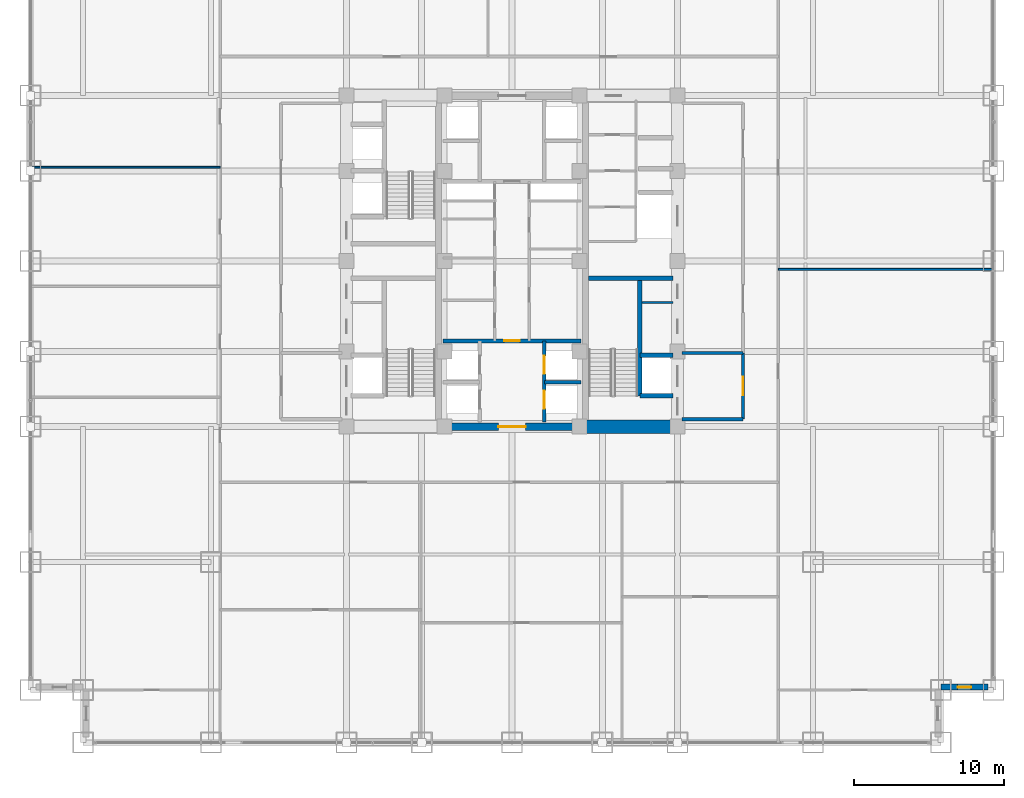
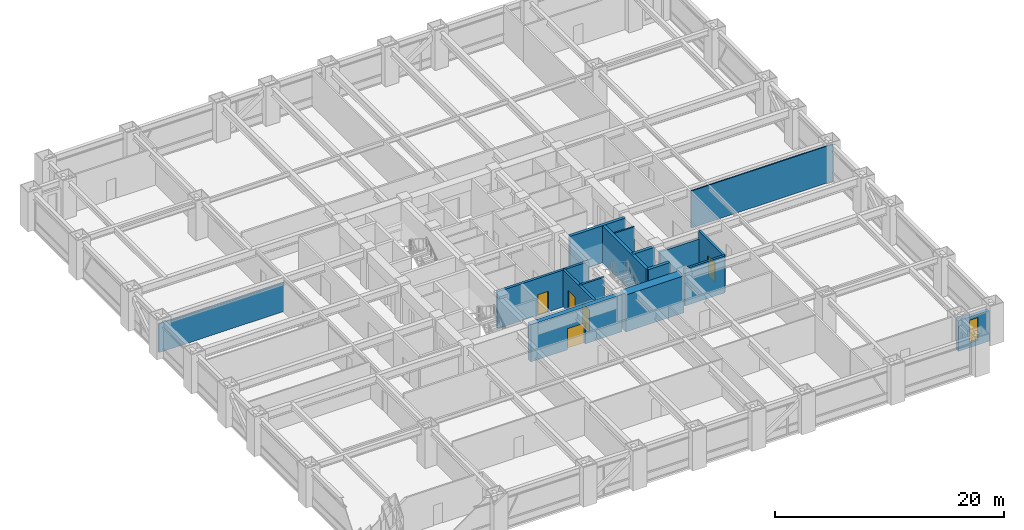
# One storey, part 24 of 28: 16 walls, 5 doors, 1 window, 6 openings.
"""IFC4 building model written with IfcOpenShell, lengths in metres."""

from ifc_helpers import new_model, si_unit, direction, frame, frame_2d, origin, place, context, subcontext, project, spatial, rectangle, extrude, source, transform, mapped, material, layer, layer_set, type_object, element, fill, save


model = new_model("IFC4")

# Units and contexts
model_context = context("Model", 3, precision=1e-05, world=origin(), true_north=direction((0.0, 1.0)))
body_context = subcontext(model_context, "Body", "Model", "MODEL_VIEW")
ifc_project = project(units=[si_unit("LENGTHUNIT", "METRE"), si_unit("AREAUNIT", "SQUARE_METRE"), si_unit("VOLUMEUNIT", "CUBIC_METRE"), si_unit("PLANEANGLEUNIT", "RADIAN"), si_unit("MASSUNIT", "GRAM", prefix="KILO")], contexts=[model_context])

# Site, building, storey
site_placement = place(None, origin())
site = spatial("IfcSite", under=ifc_project, at=site_placement, CompositionType="ELEMENT")
building_placement = place(site_placement, origin())
building = spatial("IfcBuilding", under=site, at=building_placement, Name="Khorayat Bourse Tower", CompositionType="ELEMENT")
storey_placement = place(building_placement, frame((0.0, 0.0, 66.199951171875)))
storey = spatial("IfcBuildingStorey", under=building, at=storey_placement, Name="L14", CompositionType="ELEMENT", Elevation=66.199951171875)

# Walls
ifc_material_1 = material(Name="Concrete C72/90", Category="concrete")
ifc_layer_1 = layer(ifc_material_1, 0.89990234375)
ifc_layer_set_1 = layer_set([ifc_layer_1], Name="Concrete C72/90")
wall_type_1 = type_object("IfcWallType", Name="WAL-CORE-900", PredefinedType="SHEAR", material=ifc_layer_set_1)
shared_shape_1 = source(origin(), body_context, "Body", "SweptSolid", [
    extrude(rectangle(XDim=5.849853515625, YDim=0.89990234375, at=frame_2d((2.9248046875, 0.0))), origin(), (0.0, 0.0, 1.0), 3.93994140625),
])
wall_1_placement = place(storey_placement, frame((4.85009765625, -11.0, 0.0), z_axis=(0.0, 0.0, 1.0), x_axis=(1.0, 0.0, 0.0)))
element("IfcWall", 1, at=wall_1_placement, inside=storey, type_object=wall_type_1, Name="L14 Core Shear Wall PIER-ES", PredefinedType="SHEAR", context=body_context, shape_type="MappedRepresentation", body=[
    mapped(shared_shape_1, transform((0.0, 0.0, 0.0), scale=1.0)),
])
ifc_material_2 = material(Name="Concrete C50/60", Category="concrete")
ifc_layer_2 = layer(ifc_material_2, 0.300048828125)
ifc_layer_set_2 = layer_set([ifc_layer_2], Name="Concrete C50/60")
wall_type_2 = type_object("IfcWallType", Name="WAL-SHAFT-300", PredefinedType="SHEAR", material=ifc_layer_set_2)
shared_shape_2 = source(origin(), body_context, "Body", "SweptSolid", [
    extrude(rectangle(XDim=5.599853515625, YDim=0.300048828125, at=frame_2d((2.7998046875, 0.0))), origin(), (0.0, 0.0, 1.0), 3.93994140625),
])
wall_2_placement = place(storey_placement, frame((5.10009765625, -1.14990234375, 0.0), z_axis=(0.0, 0.0, 1.0), x_axis=(1.0, 0.0, 0.0)))
element("IfcWall", 2, at=wall_2_placement, inside=storey, type_object=wall_type_2, Name="L14 Core Shear Wall ST3-DIV", PredefinedType="SHEAR", context=body_context, shape_type="MappedRepresentation", body=[
    mapped(shared_shape_2, transform((0.0, 0.0, 0.0), scale=1.0)),
])

# Wall, opening, door
ifc_material_3 = material(Name="Concrete C52/65", Category="concrete")
ifc_layer_3 = layer(ifc_material_3, 0.5)
ifc_layer_set_3 = layer_set([ifc_layer_3], Name="Concrete C52/65")
wall_type_3 = type_object("IfcWallType", Name="WAL-CORE-500", PredefinedType="SHEAR", material=ifc_layer_set_3)
shared_shape_3 = source(origin(), body_context, "Body", "SweptSolid", [
    extrude(rectangle(XDim=9.2001953125, YDim=0.5, at=frame_2d((4.60009765625, 0.0))), origin(), (0.0, 0.0, 1.0), 3.93994140625),
])
wall_3_placement = place(storey_placement, frame((-4.60009765625, -11.0, 0.0), z_axis=(0.0, 0.0, 1.0), x_axis=(1.0, 0.0, 0.0)))
wall_3 = element("IfcWall", 3, at=wall_3_placement, inside=storey, type_object=wall_type_3, Name="L14 Core Shear Wall CORE-S", PredefinedType="SHEAR", context=body_context, shape_type="MappedRepresentation", body=[
    mapped(shared_shape_3, transform((0.0, 0.0, 0.0), scale=1.0)),
])
shared_shape_4 = source(origin(), body_context, "Body", "SweptSolid", [
    extrude(rectangle(XDim=1.800048828125, YDim=2.25, at=frame_2d((0.89990234375, 1.125))), frame((0.0, 0.260009765625, 0.0), z_axis=(0.0, -1.0, 0.0), x_axis=(1.0, 0.0, 0.0)), (0.0, 0.0, 1.0), 0.52001953125),
])
opening_1_placement = place(wall_3_placement, frame((3.699951171875, 0.0, 0.0)))
opening_1 = element("IfcOpeningElement", 4, at=opening_1_placement, cuts=wall_3, Name="Opening DI-03", PredefinedType="OPENING", context=body_context, shape_type="MappedRepresentation", body=[
    mapped(shared_shape_4, transform((0.0, 0.0, 0.0), scale=1.0)),
])
ifc_material_4 = material(Name="Fire-rated hardwood vision-panel double leaf", Category="wood")
door_type_1 = type_object("IfcDoorType", Name="DR-INT-CORR-1800", OperationType="NOTDEFINED", PredefinedType="DOOR", material=ifc_material_4)
shared_shape_5 = source(origin(), body_context, "Body", "SweptSolid", [
    extrude(rectangle(XDim=1.800048828125, YDim=2.25, at=frame_2d((0.89990234375, 1.125))), frame((0.0, 0.02490234375, 0.0), z_axis=(0.0, -1.0, 0.0), x_axis=(1.0, 0.0, 0.0)), (0.0, 0.0, 1.0), 0.050048828125),
])
door_1_placement = place(opening_1_placement, origin())
door_1 = element("IfcDoor", 5, at=door_1_placement, inside=storey, type_object=door_type_1, Name="L14 Low-Rise Lift Lobby Door", OperationType="SINGLE_SWING_LEFT", OverallHeight=2.25, OverallWidth=1.800048828125, PredefinedType="DOOR", context=body_context, shape_type="MappedRepresentation", body=[
    mapped(shared_shape_5, transform((0.0, 0.0, 0.0), scale=1.0)),
])
fill(opening_1, door_1)

# Wall, opening, window
ifc_material_5 = material(Name="Precast concrete C45/55", Category="concrete")
ifc_layer_4 = layer(ifc_material_5, 0.3798828125)
ifc_layer_set_4 = layer_set([ifc_layer_4], Name="Precast concrete C45/55")
wall_type_4 = type_object("IfcWallType", Name="WAL-EXT-STONE-380", PredefinedType="STANDARD", material=ifc_layer_set_4)
shared_shape_6 = source(origin(), body_context, "Body", "SweptSolid", [
    extrude(rectangle(XDim=3.1201171875, YDim=0.3798828125, at=frame_2d((1.56005859375, 0.0))), origin(), (0.0, 0.0, 1.0), 3.2451171875),
])
wall_4_placement = place(storey_placement, frame((28.5, -28.31005859375, 0.0), z_axis=(0.0, 0.0, 1.0), x_axis=(1.0, 0.0, 0.0)))
wall_4 = element("IfcWall", 6, at=wall_4_placement, inside=storey, type_object=wall_type_4, Name="L14 Re-Entrant Notch Limestone Wall SE-H", PredefinedType="STANDARD", context=body_context, shape_type="MappedRepresentation", body=[
    mapped(shared_shape_6, transform((0.0, 0.0, 0.0), scale=1.0)),
])
shared_shape_7 = source(origin(), body_context, "Body", "SweptSolid", [
    extrude(rectangle(XDim=0.89990234375, YDim=2.39990234375, at=frame_2d((0.449951171875, 1.199951171875))), frame((0.0, 0.199951171875, 0.0), z_axis=(0.0, -1.0, 0.0), x_axis=(1.0, 0.0, 0.0)), (0.0, 0.0, 1.0), 0.39990234375),
])
opening_2_placement = place(wall_4_placement, frame((1.110107421875, 0.0, 0.5)))
opening_2 = element("IfcOpeningElement", 7, at=opening_2_placement, cuts=wall_4, Name="Opening WN-03", PredefinedType="OPENING", context=body_context, shape_type="MappedRepresentation", body=[
    mapped(shared_shape_7, transform((0.0, 0.0, 0.0), scale=1.0)),
])
ifc_material_6 = material(Name="Deep-reveal solar-control double glazing", Category="glass")
window_type = type_object("IfcWindowType", Name="WIN-SLOT-900x2400", PartitioningType="SINGLE_PANEL", PredefinedType="WINDOW", material=ifc_material_6)
shared_shape_8 = source(origin(), body_context, "Body", "SweptSolid", [
    extrude(rectangle(XDim=0.89990234375, YDim=2.39990234375, at=frame_2d((0.449951171875, 1.199951171875))), frame((0.0, 0.030029296875, 0.0), z_axis=(0.0, -1.0, 0.0), x_axis=(1.0, 0.0, 0.0)), (0.0, 0.0, 1.0), 0.06005859375),
])
window_placement = place(opening_2_placement, origin())
window = element("IfcWindow", 8, at=window_placement, inside=storey, type_object=window_type, Name="L14 Facade Window 1", OverallHeight=2.39990234375, OverallWidth=0.89990234375, PartitioningType="SINGLE_PANEL", PredefinedType="WINDOW", context=body_context, shape_type="MappedRepresentation", body=[
    mapped(shared_shape_8, transform((0.0, 0.0, 0.0), scale=1.0)),
])
fill(opening_2, window)

# Walls
shared_shape_9 = source(origin(), body_context, "Body", "SweptSolid", [
    extrude(rectangle(XDim=7.800048828125, YDim=0.300048828125, at=frame_2d((3.89990234375, 0.0))), origin(), (0.0, 0.0, 1.0), 3.93994140625),
])
wall_5_placement = place(storey_placement, frame((8.5, -8.949951171875, 0.0), z_axis=(0.0, 0.0, 1.0), x_axis=(0.0, 1.0, 0.0)))
element("IfcWall", 9, at=wall_5_placement, inside=storey, type_object=wall_type_2, Name="L14 Partition WAL-L14-EPIER-SP", PredefinedType="SHEAR", context=body_context, shape_type="MappedRepresentation", body=[
    mapped(shared_shape_9, transform((0.0, 0.0, 0.0), scale=1.0)),
])
shared_shape_10 = source(origin(), body_context, "Body", "SweptSolid", [
    extrude(rectangle(XDim=2.199951171875, YDim=0.300048828125, at=frame_2d((1.10009765625, 0.0))), origin(), (0.0, 0.0, 1.0), 3.93994140625),
])
for number, where, z_axis, x_axis, name in (
    (10, (8.5, -8.949951171875, 0.0), (0.0, 0.0, 1.0), (1.0, 0.0, 0.0), "L14 Partition WAL-L14-EPIER-FF2S"),
    (11, (8.5, -6.25, 0.0), (0.0, 0.0, 1.0), (1.0, 0.0, 0.0), "L14 Partition WAL-L14-EPIER-FF2N"),
):
    element("IfcWall", number, at=place(storey_placement, frame(where, z_axis=z_axis, x_axis=x_axis)), inside=storey, type_object=wall_type_2, Name=name, PredefinedType="SHEAR", context=body_context, shape_type="MappedRepresentation", body=[
        mapped(shared_shape_10, transform((0.0, 0.0, 0.0), scale=1.0)),
    ])
ifc_material_7 = material(Name="Gypsum plasterboard twin-frame partition")
ifc_layer_5 = layer(ifc_material_7, 0.14990234375)
ifc_layer_set_5 = layer_set([ifc_layer_5], Name="Gypsum plasterboard twin-frame partition")
wall_type_5 = type_object("IfcWallType", Name="WAL-PART-SUITE-150", PredefinedType="PARTITIONING", material=ifc_layer_set_5)
shared_shape_11 = source(origin(), body_context, "Body", "SweptSolid", [
    extrude(rectangle(XDim=2.050048828125, YDim=0.14990234375, at=frame_2d((1.02490234375, 0.0))), origin(), (0.0, 0.0, 1.0), 3.93994140625),
])
wall_6_placement = place(storey_placement, frame((8.64990234375, -2.75, 0.0), z_axis=(0.0, 0.0, 1.0), x_axis=(1.0, 0.0, 0.0)))
element("IfcWall", 12, at=wall_6_placement, inside=storey, type_object=wall_type_5, Name="L14 Partition WAL-L14-ESRV-D1", PredefinedType="PARTITIONING", context=body_context, shape_type="MappedRepresentation", body=[
    mapped(shared_shape_11, transform((0.0, 0.0, 0.0), scale=1.0)),
])
ifc_material_8 = material(Name="Aerated concrete blockwork", Category="masonry")
ifc_layer_6 = layer(ifc_material_8, 0.219970703125)
ifc_layer_set_6 = layer_set([ifc_layer_6], Name="Aerated concrete blockwork")
wall_type_6 = type_object("IfcWallType", Name="WAL-PART-FF-220", PredefinedType="PARTITIONING", material=ifc_layer_set_6)
shared_shape_12 = source(origin(), body_context, "Body", "SweptSolid", [
    extrude(rectangle(XDim=4.050048828125, YDim=0.219970703125, at=frame_2d((2.02490234375, 0.0))), origin(), (0.0, 0.0, 1.0), 3.93994140625),
])
wall_7_placement = place(storey_placement, frame((11.300048828125, -10.5, 0.0), z_axis=(0.0, 0.0, 1.0), x_axis=(1.0, 0.0, 0.0)))
element("IfcWall", 13, at=wall_7_placement, inside=storey, type_object=wall_type_6, Name="L14 Partition WAL-L14-FFLE-S", PredefinedType="PARTITIONING", context=body_context, shape_type="MappedRepresentation", body=[
    mapped(shared_shape_12, transform((0.0, 0.0, 0.0), scale=1.0)),
])
shared_shape_13 = source(origin(), body_context, "Body", "SweptSolid", [
    extrude(rectangle(XDim=4.050048828125, YDim=0.219970703125, at=frame_2d((2.02490234375, 0.0))), origin(), (0.0, 0.0, 1.0), 3.0849609375),
])
wall_8_placement = place(storey_placement, frame((11.300048828125, -6.10009765625, 0.0), z_axis=(0.0, 0.0, 1.0), x_axis=(1.0, 0.0, 0.0)))
element("IfcWall", 14, at=wall_8_placement, inside=storey, type_object=wall_type_6, Name="L14 Partition WAL-L14-FFLE-N", PredefinedType="PARTITIONING", context=body_context, shape_type="MappedRepresentation", body=[
    mapped(shared_shape_13, transform((0.0, 0.0, 0.0), scale=1.0)),
])

# Wall, opening, door
shared_shape_14 = source(origin(), body_context, "Body", "SweptSolid", [
    extrude(rectangle(XDim=4.39990234375, YDim=0.219970703125, at=frame_2d((2.199951171875, 0.0))), origin(), (0.0, 0.0, 1.0), 3.93994140625),
])
wall_9_placement = place(storey_placement, frame((15.35009765625, -10.5, 0.0), z_axis=(0.0, 0.0, 1.0), x_axis=(0.0, 1.0, 0.0)))
wall_9 = element("IfcWall", 15, at=wall_9_placement, inside=storey, type_object=wall_type_6, Name="L14 Partition WAL-L14-FFLE-E", PredefinedType="PARTITIONING", context=body_context, shape_type="MappedRepresentation", body=[
    mapped(shared_shape_14, transform((0.0, 0.0, 0.0), scale=1.0)),
])
shared_shape_15 = source(origin(), body_context, "Body", "SweptSolid", [
    extrude(rectangle(XDim=1.199951171875, YDim=2.199951171875, at=frame_2d((0.60009765625, 1.10009765625))), frame((0.0, 0.119873046875, 0.0), z_axis=(0.0, -1.0, 0.0), x_axis=(1.0, 0.0, 0.0)), (0.0, 0.0, 1.0), 0.239990234375),
])
opening_3_placement = place(wall_9_placement, frame((1.60009765625, 0.0, 0.0)))
opening_3 = element("IfcOpeningElement", 16, at=opening_3_placement, cuts=wall_9, Name="Opening DI-02", PredefinedType="OPENING", context=body_context, shape_type="MappedRepresentation", body=[
    mapped(shared_shape_15, transform((0.0, 0.0, 0.0), scale=1.0)),
])
ifc_material_9 = material(Name="Fire-rated steel double-seal leaf", Category="steel")
door_type_2 = type_object("IfcDoorType", Name="DR-INT-FFLOBBY-1200", OperationType="NOTDEFINED", PredefinedType="DOOR", material=ifc_material_9)
shared_shape_16 = source(origin(), body_context, "Body", "SweptSolid", [
    extrude(rectangle(XDim=1.199951171875, YDim=2.199951171875, at=frame_2d((0.60009765625, 1.10009765625))), frame((0.0, 0.02490234375, 0.0), z_axis=(0.0, -1.0, 0.0), x_axis=(1.0, 0.0, 0.0)), (0.0, 0.0, 1.0), 0.050048828125),
])
door_2_placement = place(opening_3_placement, origin())
door_2 = element("IfcDoor", 17, at=door_2_placement, inside=storey, type_object=door_type_2, Name="L14 East Firefighting Lobby Door", OperationType="SINGLE_SWING_RIGHT", OverallHeight=2.199951171875, OverallWidth=1.199951171875, PredefinedType="DOOR", context=body_context, shape_type="MappedRepresentation", body=[
    mapped(shared_shape_16, transform((0.0, 0.0, 0.0), scale=1.0)),
])
fill(opening_3, door_2)

# Wall, openings, doors
shared_shape_17 = source(origin(), body_context, "Body", "SweptSolid", [
    extrude(rectangle(XDim=5.39990234375, YDim=0.25, at=frame_2d((2.699951171875, 0.0))), origin(), (0.0, 0.0, 1.0), 3.93994140625),
])
wall_10_placement = place(storey_placement, frame((2.14990234375, -10.699951171875, 0.0), z_axis=(0.0, 0.0, 1.0), x_axis=(0.0, 1.0, 0.0)))
wall_10 = element("IfcWall", 18, at=wall_10_placement, inside=storey, type_object=wall_type_2, Name="L14 Partition WAL-L14-B1-E", PredefinedType="SHEAR", context=body_context, shape_type="MappedRepresentation", body=[
    mapped(shared_shape_17, transform((0.0, 0.0, 0.0), scale=1.0)),
])
shared_shape_18 = source(origin(), body_context, "Body", "SweptSolid", [
    extrude(rectangle(XDim=1.199951171875, YDim=2.300048828125, at=frame_2d((0.60009765625, 1.14990234375))), frame((0.0, 0.135009765625, 0.0), z_axis=(0.0, -1.0, 0.0), x_axis=(1.0, 0.0, 0.0)), (0.0, 0.0, 1.0), 0.27001953125),
])
opening_4_placement = place(wall_10_placement, frame((0.89990234375, 0.0, 0.0)))
opening_4 = element("IfcOpeningElement", 19, at=opening_4_placement, cuts=wall_10, Name="Opening LD-01", PredefinedType="OPENING", context=body_context, shape_type="MappedRepresentation", body=[
    mapped(shared_shape_18, transform((0.0, 0.0, 0.0), scale=1.0)),
])
opening_5_placement = place(wall_10_placement, frame((3.199951171875, 0.0, 0.0)))
opening_5 = element("IfcOpeningElement", 20, at=opening_5_placement, cuts=wall_10, Name="Opening LD-01", PredefinedType="OPENING", context=body_context, shape_type="MappedRepresentation", body=[
    mapped(shared_shape_18, transform((0.0, 0.0, 0.0), scale=1.0)),
])
ifc_material_10 = material(Name="Brushed bronze stainless-steel sliding door", Category="steel")
door_type_3 = type_object("IfcDoorType", Name="DR-LIFT-PASS-1200", OperationType="NOTDEFINED", PredefinedType="DOOR", material=ifc_material_10)
shared_shape_19 = source(origin(), body_context, "Body", "SweptSolid", [
    extrude(rectangle(XDim=1.199951171875, YDim=2.300048828125, at=frame_2d((0.60009765625, 1.14990234375))), frame((0.0, 0.02490234375, 0.0), z_axis=(0.0, -1.0, 0.0), x_axis=(1.0, 0.0, 0.0)), (0.0, 0.0, 1.0), 0.050048828125),
])
door_3_placement = place(opening_4_placement, origin())
door_3 = element("IfcDoor", 21, at=door_3_placement, inside=storey, type_object=door_type_3, Name="L14 Lift PL-L2 Sliding Landing Door", OperationType="SLIDING_TO_LEFT", OverallHeight=2.300048828125, OverallWidth=1.199951171875, PredefinedType="DOOR", context=body_context, shape_type="MappedRepresentation", body=[
    mapped(shared_shape_19, transform((0.0, 0.0, 0.0), scale=1.0)),
])
fill(opening_4, door_3)
door_4_placement = place(opening_5_placement, origin())
door_4 = element("IfcDoor", 22, at=door_4_placement, inside=storey, type_object=door_type_3, Name="L14 Lift PL-L4 Sliding Landing Door", OperationType="SLIDING_TO_LEFT", OverallHeight=2.300048828125, OverallWidth=1.199951171875, PredefinedType="DOOR", context=body_context, shape_type="MappedRepresentation", body=[
    mapped(shared_shape_19, transform((0.0, 0.0, 0.0), scale=1.0)),
])
fill(opening_5, door_4)

# Wall
shared_shape_20 = source(origin(), body_context, "Body", "SweptSolid", [
    extrude(rectangle(XDim=2.4501953125, YDim=0.199951171875, at=frame_2d((1.22509765625, 0.0))), origin(), (0.0, 0.0, 1.0), 3.93994140625),
])
wall_11_placement = place(storey_placement, frame((2.14990234375, -8.050048828125, 0.0), z_axis=(0.0, 0.0, 1.0), x_axis=(1.0, 0.0, 0.0)))
element("IfcWall", 23, at=wall_11_placement, inside=storey, type_object=wall_type_2, Name="L14 Partition WAL-L14-B1-ME", PredefinedType="SHEAR", context=body_context, shape_type="MappedRepresentation", body=[
    mapped(shared_shape_20, transform((0.0, 0.0, 0.0), scale=1.0)),
])

# Wall, opening, door
shared_shape_21 = source(origin(), body_context, "Body", "SweptSolid", [
    extrude(rectangle(XDim=9.2001953125, YDim=0.25, at=frame_2d((4.60009765625, 0.0))), origin(), (0.0, 0.0, 1.0), 3.93994140625),
])
wall_12_placement = place(storey_placement, frame((-4.60009765625, -5.300048828125, 0.0), z_axis=(0.0, 0.0, 1.0), x_axis=(1.0, 0.0, 0.0)))
wall_12 = element("IfcWall", 24, at=wall_12_placement, inside=storey, type_object=wall_type_2, Name="L14 Partition WAL-L14-B1-N", PredefinedType="SHEAR", context=body_context, shape_type="MappedRepresentation", body=[
    mapped(shared_shape_21, transform((0.0, 0.0, 0.0), scale=1.0)),
])
shared_shape_22 = source(origin(), body_context, "Body", "SweptSolid", [
    extrude(rectangle(XDim=1.050048828125, YDim=2.199951171875, at=frame_2d((0.52490234375, 1.10009765625))), frame((0.0, 0.135009765625, 0.0), z_axis=(0.0, -1.0, 0.0), x_axis=(1.0, 0.0, 0.0)), (0.0, 0.0, 1.0), 0.27001953125),
])
opening_6_placement = place(wall_12_placement, frame((4.074951171875, 0.0, 0.0)))
opening_6 = element("IfcOpeningElement", 25, at=opening_6_placement, cuts=wall_12, Name="Opening DI-04", PredefinedType="OPENING", context=body_context, shape_type="MappedRepresentation", body=[
    mapped(shared_shape_22, transform((0.0, 0.0, 0.0), scale=1.0)),
])
ifc_material_11 = material(Name="Fire-rated oak veneer suite entrance door")
door_type_4 = type_object("IfcDoorType", Name="DR-INT-SUITE-1050", OperationType="NOTDEFINED", PredefinedType="DOOR", material=ifc_material_11)
shared_shape_23 = source(origin(), body_context, "Body", "SweptSolid", [
    extrude(rectangle(XDim=1.050048828125, YDim=2.199951171875, at=frame_2d((0.52490234375, 1.10009765625))), frame((0.0, 0.02490234375, 0.0), z_axis=(0.0, -1.0, 0.0), x_axis=(1.0, 0.0, 0.0)), (0.0, 0.0, 1.0), 0.050048828125),
])
door_5_placement = place(opening_6_placement, origin())
door_5 = element("IfcDoor", 26, at=door_5_placement, inside=storey, type_object=door_type_4, Name="L14 Core Spine South Door", OperationType="SINGLE_SWING_LEFT", OverallHeight=2.199951171875, OverallWidth=1.050048828125, PredefinedType="DOOR", context=body_context, shape_type="MappedRepresentation", body=[
    mapped(shared_shape_23, transform((0.0, 0.0, 0.0), scale=1.0)),
])
fill(opening_6, door_5)

# Walls
ifc_material_12 = material(Name="Gypsum plasterboard partition")
ifc_layer_7 = layer(ifc_material_12, 0.125)
ifc_layer_set_7 = layer_set([ifc_layer_7], Name="Gypsum plasterboard partition")
wall_type_7 = type_object("IfcWallType", Name="WAL-PART-ROOM-125", PredefinedType="PARTITIONING", material=ifc_layer_set_7)
shared_shape_24 = source(origin(), body_context, "Body", "SweptSolid", [
    extrude(rectangle(XDim=12.60009765625, YDim=0.125, at=frame_2d((6.300048828125, 0.0))), origin(), (0.0, 0.0, 1.0), 3.0849609375),
])
wall_13_placement = place(storey_placement, frame((-32.0, 6.241943359375, 0.0), z_axis=(0.0, 0.0, 1.0), x_axis=(1.0, 0.0, 0.0)))
element("IfcWall", 27, at=wall_13_placement, inside=storey, type_object=wall_type_7, Name="L14 Partition WAL-L14-WDV-3", PredefinedType="PARTITIONING", context=body_context, shape_type="MappedRepresentation", body=[
    mapped(shared_shape_24, transform((0.0, 0.0, 0.0), scale=1.0)),
])
shared_shape_25 = source(origin(), body_context, "Body", "SweptSolid", [
    extrude(rectangle(XDim=14.300048828125, YDim=0.125, at=frame_2d((7.14990234375, 0.0))), origin(), (0.0, 0.0, 1.0), 3.93994140625),
])
wall_14_placement = place(storey_placement, frame((17.699951171875, -0.550048828125, 0.0), z_axis=(0.0, 0.0, 1.0), x_axis=(1.0, 0.0, 0.0)))
element("IfcWall", 28, at=wall_14_placement, inside=storey, type_object=wall_type_7, Name="L14 Partition WAL-L14-EDV-1", PredefinedType="PARTITIONING", context=body_context, shape_type="MappedRepresentation", body=[
    mapped(shared_shape_25, transform((0.0, 0.0, 0.0), scale=1.0)),
])

save(model, "model.ifc")
